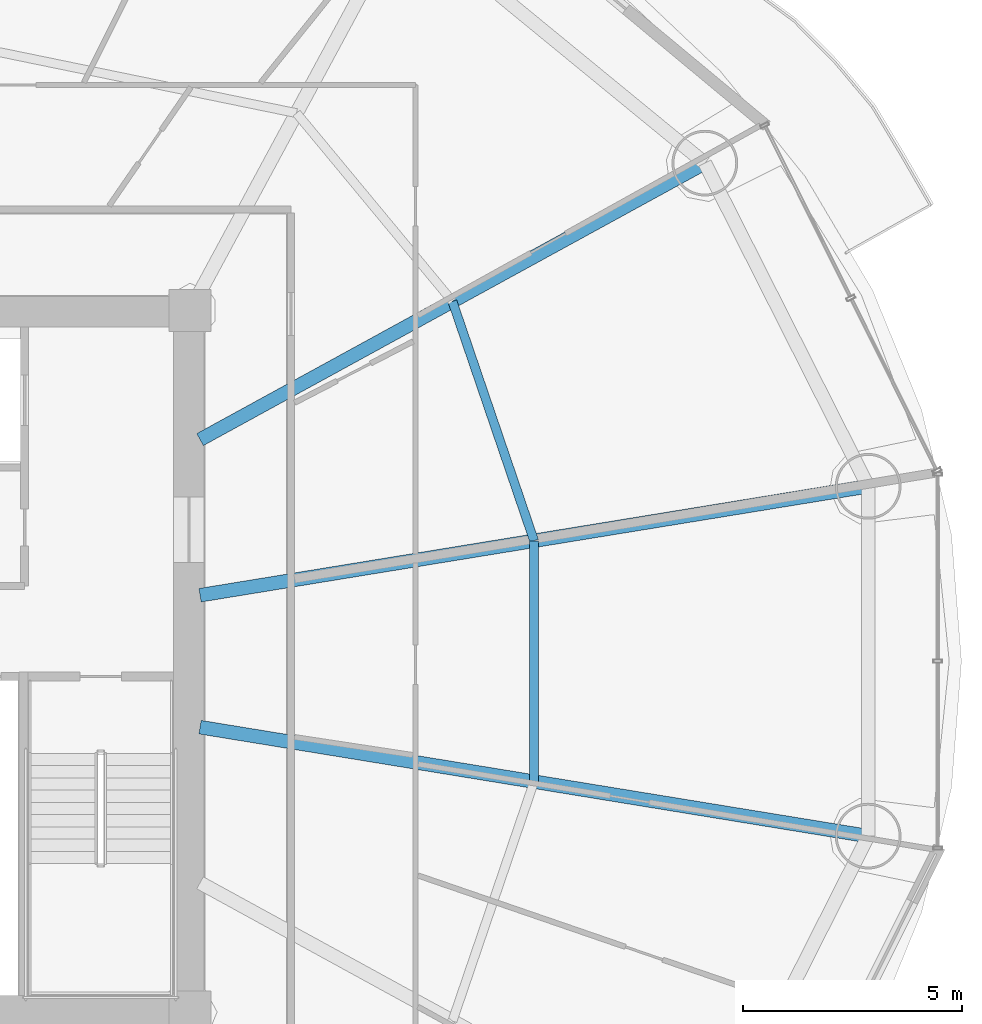
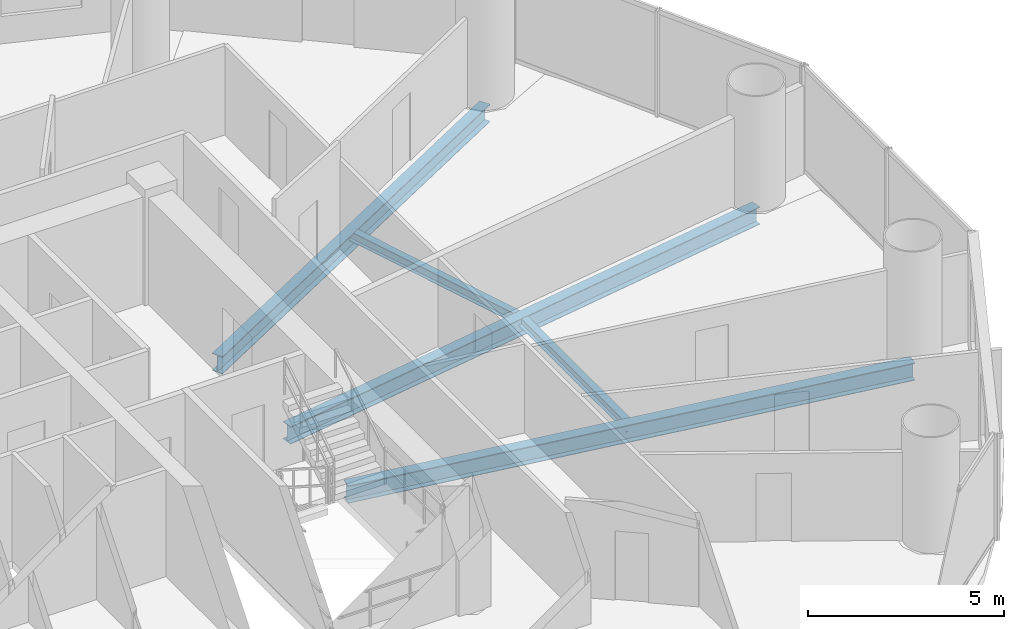
# One storey, part 13 of 28: 5 beams.
"""IFC4 building model written with IfcOpenShell, lengths in metres."""

from ifc_helpers import new_model, si_unit, direction, frame, origin, origin_2d, place, context, subcontext, project, spatial, i_section, extrude, material, material_profile, profile_set, type_object, element, save


model = new_model("IFC4")

# Units and contexts
model_context = context("Model", 3, precision=1e-05, world=origin(), true_north=direction((-0.2419218956, 0.970295726276)))
body_context = subcontext(model_context, "Body", "Model", "MODEL_VIEW")
ifc_project = project(units=[si_unit("LENGTHUNIT", "METRE"), si_unit("AREAUNIT", "SQUARE_METRE"), si_unit("VOLUMEUNIT", "CUBIC_METRE"), si_unit("PLANEANGLEUNIT", "RADIAN"), si_unit("MASSUNIT", "GRAM", prefix="KILO")], contexts=[model_context])

# Site, building, storey
site_placement = place(None, origin())
site = spatial("IfcSite", under=ifc_project, at=site_placement, CompositionType="ELEMENT")
building_placement = place(site_placement, origin())
building = spatial("IfcBuilding", under=site, at=building_placement, Name="Cobrevalo Terracotta Tower", CompositionType="ELEMENT")
storey_placement = place(building_placement, frame((0.0, 0.0, 101.39990234375)))
storey = spatial("IfcBuildingStorey", under=building, at=storey_placement, Name="L26", CompositionType="ELEMENT", Elevation=101.39990234375)

# Beams
ifc_material = material(Name="Steel S355", Category="steel")
ifc_material_profile_1 = material_profile(ifc_material, i_section(OverallWidth=0.31201171875, OverallDepth=0.54296875, WebThickness=0.0126953125, FlangeThickness=0.020263671875, at=origin_2d()), Name="W 530x150")
ifc_profile_set_1 = profile_set([ifc_material_profile_1], Name="Steel S355")
beam_type_1 = type_object("IfcBeamType", Name="Structural Beam W 530x150 (Steel S355)", PredefinedType="BEAM", material=ifc_profile_set_1)
beam_1_placement = place(storey_placement, frame((62.470703125, 30.78955078125, -0.54638671875), z_axis=(-0.986970567439, -0.160900898101, 0.0), x_axis=(0.160900898101, -0.986970567439, 0.0)))
element("IfcBeam", 1, at=beam_1_placement, inside=storey, type_object=beam_type_1, Name="L26 radial floor girder 01", PredefinedType="BEAM", context=body_context, shape_type="SweptSolid", body=[
    extrude(i_section(OverallWidth=0.31201171875, OverallDepth=0.54296875, WebThickness=0.0126953125, FlangeThickness=0.020263671875, at=origin_2d()), origin(), (0.0, 0.0, 1.0), 15.44189453125),
])
beam_2_placement = place(storey_placement, frame((58.7451171875, 38.161376953125, -0.54638671875), z_axis=(-0.877080599376, -0.480343233738, 0.0), x_axis=(0.480343233738, -0.877080599376, 0.0)))
element("IfcBeam", 2, at=beam_2_placement, inside=storey, type_object=beam_type_1, Name="L26 radial floor girder 02", PredefinedType="BEAM", context=body_context, shape_type="SweptSolid", body=[
    extrude(i_section(OverallWidth=0.31201171875, OverallDepth=0.54296875, WebThickness=0.0126953125, FlangeThickness=0.020263671875, at=origin_2d()), origin(), (0.0, 0.0, 1.0), 13.12890625),
])
beam_3_placement = place(storey_placement, frame((62.470703125, 22.810302734375, -0.54638671875), z_axis=(-0.986968056587, 0.160916298977, 0.0), x_axis=(-0.160916298977, -0.986968056587, 0.0)))
element("IfcBeam", 3, at=beam_3_placement, inside=storey, type_object=beam_type_1, Name="L26 radial floor girder 16", PredefinedType="BEAM", context=body_context, shape_type="SweptSolid", body=[
    extrude(i_section(OverallWidth=0.31201171875, OverallDepth=0.54296875, WebThickness=0.0126953125, FlangeThickness=0.020263671875, at=origin_2d()), origin(), (0.0, 0.0, 1.0), 15.44189453125),
])
ifc_material_profile_2 = material_profile(ifc_material, i_section(OverallWidth=0.2041015625, OverallDepth=0.305908203125, WebThickness=0.008544921875, FlangeThickness=0.0146484375, at=origin_2d()), Name="W 310x67")
ifc_profile_set_2 = profile_set([ifc_material_profile_2], Name="Steel S355")
beam_type_2 = type_object("IfcBeamType", Name="Structural Joist W 310x67 (Steel S355)", PredefinedType="JOIST", material=ifc_profile_set_2)
beam_4_placement = place(storey_placement, frame((54.850341796875, 29.547119140625, -0.427978515625), z_axis=(-0.322833299398, 0.94645584197, 0.0), x_axis=(-0.94645584197, -0.322833299398, 0.0)))
element("IfcBeam", 4, at=beam_4_placement, inside=storey, type_object=beam_type_2, Name="L26 circumferential secondary floor joist 01", PredefinedType="JOIST", context=body_context, shape_type="SweptSolid", body=[
    extrude(i_section(OverallWidth=0.2041015625, OverallDepth=0.305908203125, WebThickness=0.008544921875, FlangeThickness=0.0146484375, at=origin_2d()), origin(), (0.0, 0.0, 1.0), 5.77001953125),
])
beam_5_placement = place(storey_placement, frame((54.850341796875, 24.052734375, -0.427978515625), z_axis=(0.0, 1.0, 0.0), x_axis=(-1.0, 0.0, 0.0)))
element("IfcBeam", 5, at=beam_5_placement, inside=storey, type_object=beam_type_2, Name="L26 circumferential secondary floor joist 16", PredefinedType="JOIST", context=body_context, shape_type="SweptSolid", body=[
    extrude(i_section(OverallWidth=0.2041015625, OverallDepth=0.305908203125, WebThickness=0.008544921875, FlangeThickness=0.0146484375, at=origin_2d()), origin(), (0.0, 0.0, 1.0), 5.494384765625),
])

save(model, "model.ifc")
